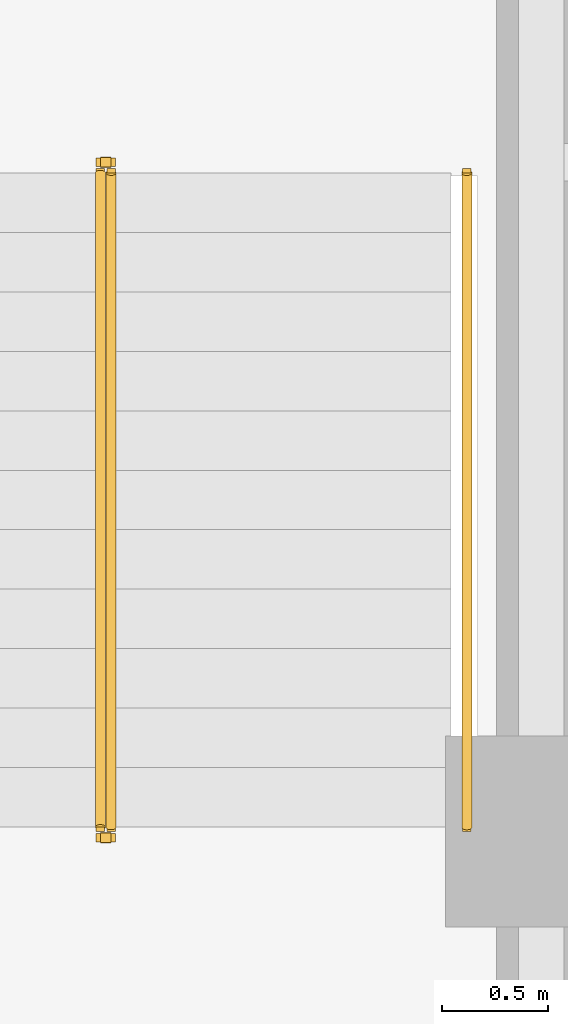
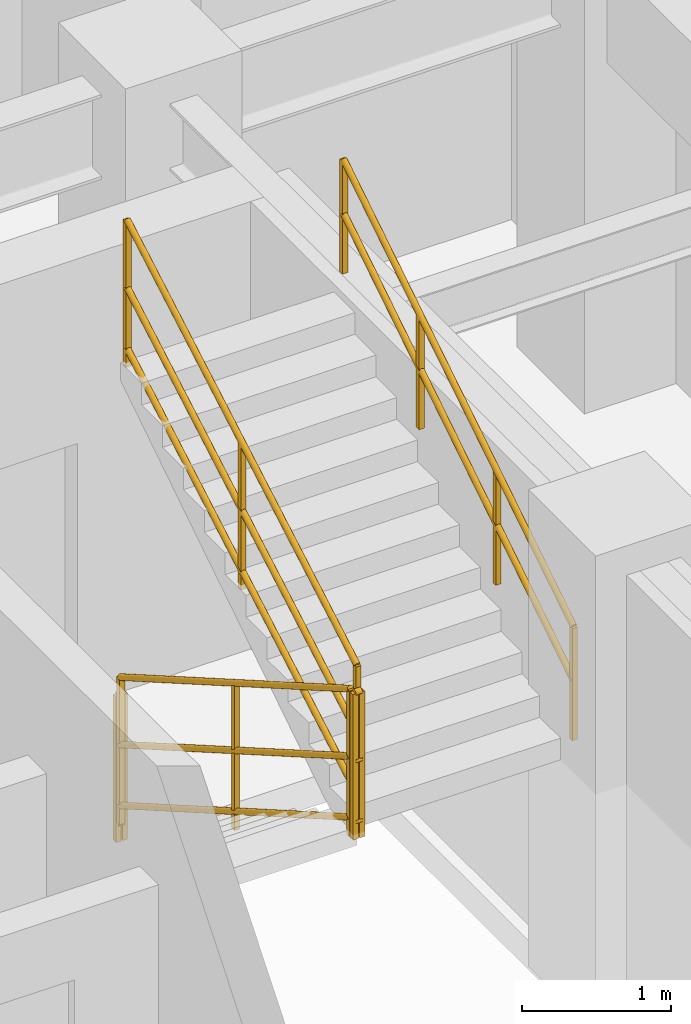
# One storey, part 9 of 11: 5 railings.
"""IFC4 building model written with IfcOpenShell, lengths in metres."""

from ifc_helpers import new_model, entity, si_unit, converted_unit, direction, frame, origin_with_axes, origin_2d_with_axis, place, context, subcontext, project, spatial, rectangle, circle, extrude, material, type_object, element, save


model = new_model("IFC4")

# Units and contexts
model_context = context("Model", 3, precision=1e-05, world=origin_with_axes(), true_north=direction((0.0, 1.0)))
body_context = subcontext(model_context, "Body", "Model", "MODEL_VIEW")
ifc_project = project(units=[si_unit("LENGTHUNIT", "METRE"), si_unit("AREAUNIT", "SQUARE_METRE"), si_unit("VOLUMEUNIT", "CUBIC_METRE"), converted_unit("PLANEANGLEUNIT", "DEGREE", entity("IfcPlaneAngleMeasure", 0.017453292519943295), si_unit("PLANEANGLEUNIT", "RADIAN"), dimensions=[0, 0, 0, 0, 0, 0, 0]), si_unit("MASSUNIT", "GRAM", prefix="KILO"), si_unit("THERMODYNAMICTEMPERATUREUNIT", "KELVIN")], contexts=[model_context])

# Site, building, storey
site_placement = place(None, origin_with_axes())
site = spatial("IfcSite", under=ifc_project, at=site_placement, CompositionType="ELEMENT")
building_placement = place(site_placement, origin_with_axes())
building = spatial("IfcBuilding", under=site, at=building_placement, Name="Varnlund Millrace Tower", CompositionType="ELEMENT")
storey_placement = place(building_placement, frame((0.0, 0.0, 224.7), z_axis=(0.0, 0.0, 1.0), x_axis=(1.0, 0.0, 0.0)))
storey = spatial("IfcBuildingStorey", under=building, at=storey_placement, Name="L55", CompositionType="ELEMENT", Elevation=224.7)

# Railings
ifc_material_1 = material(Name="Painted steel stair well balustrade guard", Category="steel")
railing_type_1 = type_object("IfcRailingType", Name="Type-StairGuard-1150", PredefinedType="GUARDRAIL", material=ifc_material_1)
railing_1_placement = place(storey_placement, frame((0.0, 0.0, -224.7), z_axis=(0.0, 0.0, 1.0), x_axis=(1.0, 0.0, 0.0)))
element("IfcRailing", 1, at=railing_1_placement, inside=storey, type_object=railing_type_1, Name="Type-StairGuard-1150", PredefinedType="GUARDRAIL", context=body_context, shape_type="SweptSolid", body=[
    extrude(circle(Radius=0.024, at=origin_2d_with_axis()), frame((45.975, 21.1, 226.027273), z_axis=(0.0, -0.866696, 0.498836), x_axis=(1.0, 0.0, 0.0)), (0.0, 0.0, 1.0), 3.553725),
    extrude(circle(Radius=0.024, at=origin_2d_with_axis()), frame((45.975, 21.1, 224.977273), z_axis=(0.0, -0.866696, 0.498836), x_axis=(1.0, 0.0, 0.0)), (0.0, 0.0, 1.0), 3.553725),
    extrude(circle(Radius=0.024, at=origin_2d_with_axis()), frame((45.975, 21.1, 225.475273), z_axis=(0.0, -0.866696, 0.498836), x_axis=(1.0, 0.0, 0.0)), (0.0, 0.0, 1.0), 3.553725),
    extrude(rectangle(XDim=0.04, YDim=0.04, at=origin_2d_with_axis()), frame((45.975, 21.1, 224.837273), z_axis=(0.0, 0.0, 1.0), x_axis=(1.0, 0.0, 0.0)), (0.0, 0.0, 1.0), 1.19),
    extrude(rectangle(XDim=0.04, YDim=0.04, at=origin_2d_with_axis()), frame((45.975, 19.56, 225.723637), z_axis=(0.0, 0.0, 1.0), x_axis=(1.0, 0.0, 0.0)), (0.0, 0.0, 1.0), 1.19),
    extrude(rectangle(XDim=0.04, YDim=0.04, at=origin_2d_with_axis()), frame((45.975, 18.02, 226.61), z_axis=(0.0, 0.0, 1.0), x_axis=(1.0, 0.0, 0.0)), (0.0, 0.0, 1.0), 1.19),
])
railing_2_placement = place(storey_placement, frame((0.0, 0.0, -224.7), z_axis=(0.0, 0.0, 1.0), x_axis=(1.0, 0.0, 0.0)))
element("IfcRailing", 2, at=railing_2_placement, inside=storey, type_object=railing_type_1, Name="Type-StairGuard-1150", PredefinedType="GUARDRAIL", context=body_context, shape_type="SweptSolid", body=[
    extrude(circle(Radius=0.024, at=origin_2d_with_axis()), frame((46.025, 17.97, 227.8), z_axis=(-1.0, 0.0, 0.0), x_axis=(0.0, -1.0, 0.0)), (0.0, 0.0, 1.0), 0.05),
    extrude(circle(Radius=0.024, at=origin_2d_with_axis()), frame((46.025, 17.97, 226.75), z_axis=(-1.0, 0.0, 0.0), x_axis=(0.0, -1.0, 0.0)), (0.0, 0.0, 1.0), 0.05),
    extrude(circle(Radius=0.024, at=origin_2d_with_axis()), frame((46.025, 17.97, 227.248), z_axis=(-1.0, 0.0, 0.0), x_axis=(0.0, -1.0, 0.0)), (0.0, 0.0, 1.0), 0.05),
    extrude(rectangle(XDim=0.04, YDim=0.04, at=origin_2d_with_axis()), frame((46.025, 17.97, 226.61), z_axis=(0.0, 0.0, 1.0), x_axis=(1.0, 0.0, 0.0)), (0.0, 0.0, 1.0), 1.19),
    extrude(rectangle(XDim=0.04, YDim=0.04, at=origin_2d_with_axis()), frame((45.975, 17.97, 226.61), z_axis=(0.0, 0.0, 1.0), x_axis=(1.0, 0.0, 0.0)), (0.0, 0.0, 1.0), 1.19),
])
railing_3_placement = place(storey_placement, frame((0.0, 0.0, -224.7), z_axis=(0.0, 0.0, 1.0), x_axis=(1.0, 0.0, 0.0)))
element("IfcRailing", 3, at=railing_3_placement, inside=storey, type_object=railing_type_1, Name="Type-StairGuard-1150", PredefinedType="GUARDRAIL", context=body_context, shape_type="SweptSolid", body=[
    extrude(circle(Radius=0.024, at=origin_2d_with_axis()), frame((46.025, 18.02, 227.977273), z_axis=(0.0, 0.866696, 0.498836), x_axis=(-1.0, 0.0, 0.0)), (0.0, 0.0, 1.0), 3.553725),
    extrude(circle(Radius=0.024, at=origin_2d_with_axis()), frame((46.025, 18.02, 226.927273), z_axis=(0.0, 0.866696, 0.498836), x_axis=(-1.0, 0.0, 0.0)), (0.0, 0.0, 1.0), 3.553725),
    extrude(circle(Radius=0.024, at=origin_2d_with_axis()), frame((46.025, 18.02, 227.425273), z_axis=(0.0, 0.866696, 0.498836), x_axis=(-1.0, 0.0, 0.0)), (0.0, 0.0, 1.0), 3.553725),
    extrude(rectangle(XDim=0.04, YDim=0.04, at=origin_2d_with_axis()), frame((46.025, 18.02, 226.787273), z_axis=(0.0, 0.0, 1.0), x_axis=(1.0, 0.0, 0.0)), (0.0, 0.0, 1.0), 1.19),
    extrude(rectangle(XDim=0.04, YDim=0.04, at=origin_2d_with_axis()), frame((46.025, 19.56, 227.673637), z_axis=(0.0, 0.0, 1.0), x_axis=(1.0, 0.0, 0.0)), (0.0, 0.0, 1.0), 1.19),
    extrude(rectangle(XDim=0.04, YDim=0.04, at=origin_2d_with_axis()), frame((46.025, 21.1, 228.56), z_axis=(0.0, 0.0, 1.0), x_axis=(1.0, 0.0, 0.0)), (0.0, 0.0, 1.0), 1.19),
])
railing_4_placement = place(storey_placement, frame((0.0, 0.0, -224.7), z_axis=(0.0, 0.0, 1.0), x_axis=(1.0, 0.0, 0.0)))
element("IfcRailing", 4, at=railing_4_placement, inside=storey, type_object=railing_type_1, Name="Type-StairGuard-1150", PredefinedType="GUARDRAIL", context=body_context, shape_type="SweptSolid", body=[
    extrude(circle(Radius=0.024, at=origin_2d_with_axis()), frame((46.025, 21.15, 225.85), z_axis=(-1.0, 0.0, 0.0), x_axis=(0.0, -1.0, 0.0)), (0.0, 0.0, 1.0), 0.05),
    extrude(circle(Radius=0.024, at=origin_2d_with_axis()), frame((46.025, 21.15, 224.8), z_axis=(-1.0, 0.0, 0.0), x_axis=(0.0, -1.0, 0.0)), (0.0, 0.0, 1.0), 0.05),
    extrude(circle(Radius=0.024, at=origin_2d_with_axis()), frame((46.025, 21.15, 225.298), z_axis=(-1.0, 0.0, 0.0), x_axis=(0.0, -1.0, 0.0)), (0.0, 0.0, 1.0), 0.05),
    extrude(rectangle(XDim=0.04, YDim=0.04, at=origin_2d_with_axis()), frame((46.025, 21.15, 224.66), z_axis=(0.0, 0.0, 1.0), x_axis=(1.0, 0.0, 0.0)), (0.0, 0.0, 1.0), 1.19),
    extrude(rectangle(XDim=0.04, YDim=0.04, at=origin_2d_with_axis()), frame((45.975, 21.15, 224.66), z_axis=(0.0, 0.0, 1.0), x_axis=(1.0, 0.0, 0.0)), (0.0, 0.0, 1.0), 1.19),
])
ifc_material_2 = material(Name="Brushed architectural bronze stair handrail", Category="aluminium")
railing_type_2 = type_object("IfcRailingType", Name="Type-StairHandrail-900", PredefinedType="HANDRAIL", material=ifc_material_2)
railing_5_placement = place(storey_placement, frame((0.0, 0.0, -224.7), z_axis=(0.0, 0.0, 1.0), x_axis=(1.0, 0.0, 0.0)))
element("IfcRailing", 5, at=railing_5_placement, inside=storey, type_object=railing_type_2, Name="Type-StairHandrail-900", PredefinedType="HANDRAIL", context=body_context, shape_type="SweptSolid", body=[
    extrude(circle(Radius=0.024, at=origin_2d_with_axis()), frame((47.7, 18.02, 227.706995), z_axis=(0.0, 0.844902, 0.534922), x_axis=(-1.0, 0.0, 0.0)), (0.0, 0.0, 1.0), 3.645394),
    extrude(circle(Radius=0.024, at=origin_2d_with_axis()), frame((47.7, 18.02, 227.267134), z_axis=(0.0, 0.844902, 0.534922), x_axis=(-1.0, 0.0, 0.0)), (0.0, 0.0, 1.0), 3.645394),
    extrude(rectangle(XDim=0.04, YDim=0.04, at=origin_2d_with_axis()), frame((47.7, 18.02, 226.787273), z_axis=(0.0, 0.0, 1.0), x_axis=(1.0, 0.0, 0.0)), (0.0, 0.0, 1.0), 0.919722),
    extrude(rectangle(XDim=0.04, YDim=0.04, at=origin_2d_with_axis()), frame((47.7, 19.046667, 227.437273), z_axis=(0.0, 0.0, 1.0), x_axis=(1.0, 0.0, 0.0)), (0.0, 0.0, 1.0), 0.919722),
    extrude(rectangle(XDim=0.04, YDim=0.04, at=origin_2d_with_axis()), frame((47.7, 20.073333, 228.087273), z_axis=(0.0, 0.0, 1.0), x_axis=(1.0, 0.0, 0.0)), (0.0, 0.0, 1.0), 0.919722),
    extrude(rectangle(XDim=0.04, YDim=0.04, at=origin_2d_with_axis()), frame((47.7, 21.1, 228.737273), z_axis=(0.0, 0.0, 1.0), x_axis=(1.0, 0.0, 0.0)), (0.0, 0.0, 1.0), 0.919722),
])

save(model, "model.ifc")
